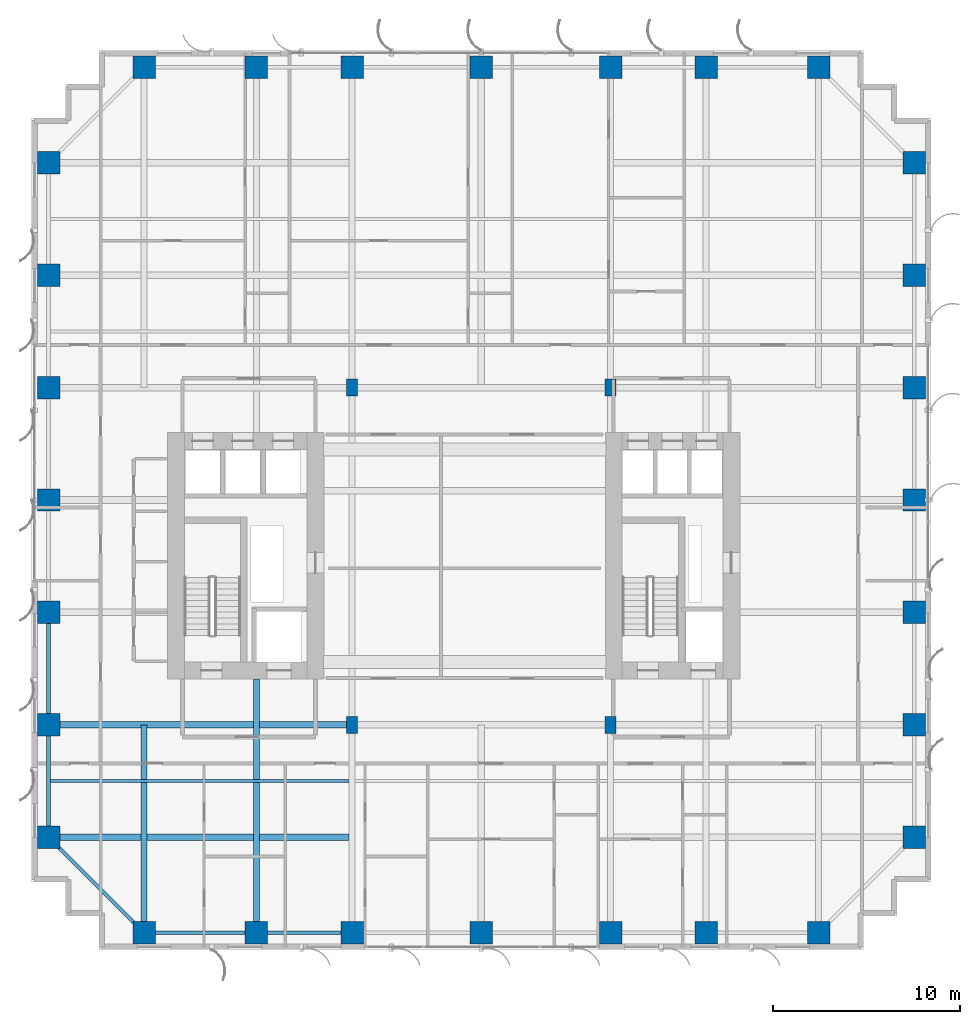
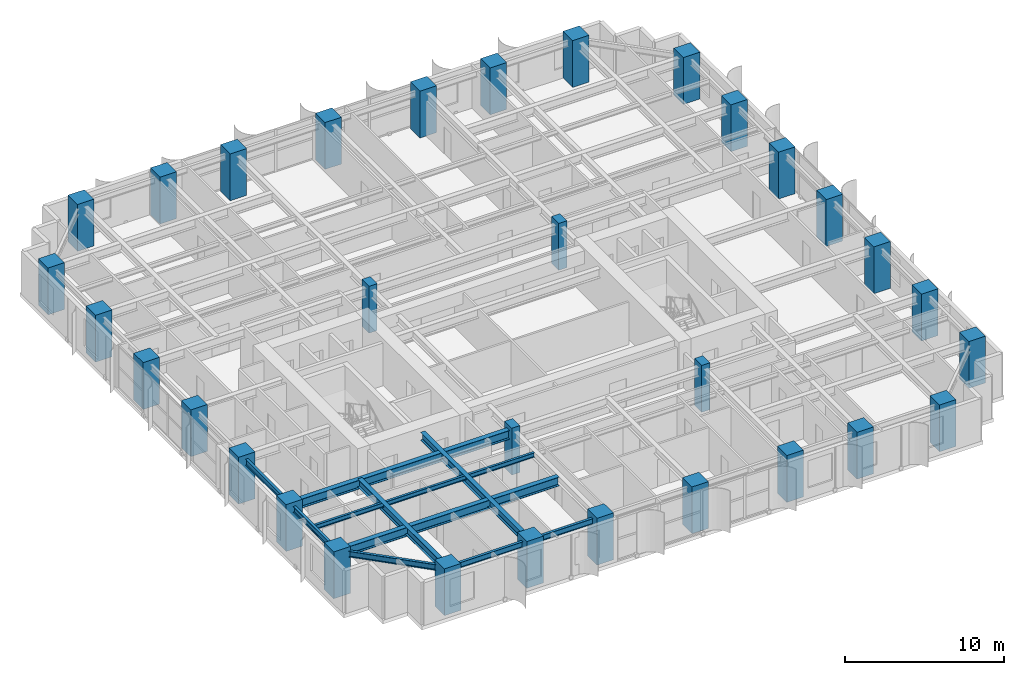
# One storey, part 1 of 23: 32 columns, 10 beams.
"""IFC4 building model written with IfcOpenShell, lengths in metres."""

from ifc_helpers import new_model, si_unit, direction, frame, origin, origin_2d, place, context, subcontext, project, spatial, rectangle, i_section, extrude, source, transform, mapped, material, material_profile, profile_set, type_object, element, save


model = new_model("IFC4")

# Units and contexts
model_context = context("Model", 3, precision=1e-05, world=origin(), true_north=direction((0.0, 1.0)))
body_context = subcontext(model_context, "Body", "Model", "MODEL_VIEW")
ifc_project = project(units=[si_unit("LENGTHUNIT", "METRE"), si_unit("AREAUNIT", "SQUARE_METRE"), si_unit("VOLUMEUNIT", "CUBIC_METRE"), si_unit("PLANEANGLEUNIT", "RADIAN"), si_unit("MASSUNIT", "GRAM", prefix="KILO")], contexts=[model_context])

# Site, building, storey
site_placement = place(None, origin())
site = spatial("IfcSite", under=ifc_project, at=site_placement, CompositionType="ELEMENT")
building_placement = place(site_placement, origin())
building = spatial("IfcBuilding", under=site, at=building_placement, Name="Khoralis Quay Care Tower", CompositionType="ELEMENT")
storey_placement = place(building_placement, frame((0.0, 0.0, 72.89990234375)))
storey = spatial("IfcBuildingStorey", under=building, at=storey_placement, Name="L19", CompositionType="ELEMENT", Elevation=72.89990234375)

# Columns
ifc_material_1 = material(Name="Concrete C80/95", Category="concrete")
ifc_material_profile_1 = material_profile(ifc_material_1, rectangle(XDim=1.199951171875, YDim=1.199951171875, at=origin_2d()), Name="Concrete C80/95")
ifc_profile_set_1 = profile_set([ifc_material_profile_1], Name="Concrete C80/95")
column_type_1 = type_object("IfcColumnType", Name="COL-C1200", PredefinedType="COLUMN", material=ifc_profile_set_1)
shared_shape_1 = source(origin(), body_context, "Body", "SweptSolid", [
    extrude(rectangle(XDim=1.199951171875, YDim=1.199951171875, at=origin_2d()), origin(), (0.0, 0.0, 1.0), 3.60009765625),
])
for number, where, z_axis, x_axis, name in (
    (1, (6.0, 0.89990234375, 0.0), (0.0, 0.0, 1.0), (1.0, 0.0, 0.0), "COL-TWR-L19-01"),
    (2, (6.0, 47.10009765625, 0.0), (0.0, 0.0, 1.0), (1.0, 0.0, 0.0), "COL-TWR-L19-02"),
    (3, (12.0, 0.89990234375, 0.0), (0.0, 0.0, 1.0), (1.0, 0.0, 0.0), "COL-TWR-L19-03"),
    (4, (12.0, 47.10009765625, 0.0), (0.0, 0.0, 1.0), (1.0, 0.0, 0.0), "COL-TWR-L19-04"),
    (5, (17.10009765625, 0.89990234375, 0.0), (0.0, 0.0, 1.0), (1.0, 0.0, 0.0), "COL-TWR-L19-05"),
    (6, (17.10009765625, 47.10009765625, 0.0), (0.0, 0.0, 1.0), (1.0, 0.0, 0.0), "COL-TWR-L19-06"),
    (7, (24.0, 0.89990234375, 0.0), (0.0, 0.0, 1.0), (1.0, 0.0, 0.0), "COL-TWR-L19-07"),
    (8, (24.0, 47.10009765625, 0.0), (0.0, 0.0, 1.0), (1.0, 0.0, 0.0), "COL-TWR-L19-08"),
    (9, (30.89990234375, 0.89990234375, 0.0), (0.0, 0.0, 1.0), (1.0, 0.0, 0.0), "COL-TWR-L19-09"),
    (10, (30.89990234375, 47.10009765625, 0.0), (0.0, 0.0, 1.0), (1.0, 0.0, 0.0), "COL-TWR-L19-10"),
    (11, (36.0, 0.89990234375, 0.0), (0.0, 0.0, 1.0), (1.0, 0.0, 0.0), "COL-TWR-L19-11"),
    (12, (36.0, 47.10009765625, 0.0), (0.0, 0.0, 1.0), (1.0, 0.0, 0.0), "COL-TWR-L19-12"),
    (13, (42.0, 0.89990234375, 0.0), (0.0, 0.0, 1.0), (1.0, 0.0, 0.0), "COL-TWR-L19-13"),
    (14, (42.0, 47.10009765625, 0.0), (0.0, 0.0, 1.0), (1.0, 0.0, 0.0), "COL-TWR-L19-14"),
    (15, (0.89990234375, 6.0, 0.0), (0.0, 0.0, 1.0), (1.0, 0.0, 0.0), "COL-TWR-L19-15"),
    (16, (47.10009765625, 6.0, 0.0), (0.0, 0.0, 1.0), (1.0, 0.0, 0.0), "COL-TWR-L19-16"),
    (17, (0.89990234375, 12.0, 0.0), (0.0, 0.0, 1.0), (1.0, 0.0, 0.0), "COL-TWR-L19-17"),
    (18, (47.10009765625, 12.0, 0.0), (0.0, 0.0, 1.0), (1.0, 0.0, 0.0), "COL-TWR-L19-18"),
    (19, (0.89990234375, 18.0, 0.0), (0.0, 0.0, 1.0), (1.0, 0.0, 0.0), "COL-TWR-L19-19"),
    (20, (47.10009765625, 18.0, 0.0), (0.0, 0.0, 1.0), (1.0, 0.0, 0.0), "COL-TWR-L19-20"),
    (21, (0.89990234375, 24.0, 0.0), (0.0, 0.0, 1.0), (1.0, 0.0, 0.0), "COL-TWR-L19-21"),
    (22, (47.10009765625, 24.0, 0.0), (0.0, 0.0, 1.0), (1.0, 0.0, 0.0), "COL-TWR-L19-22"),
    (23, (0.89990234375, 30.0, 0.0), (0.0, 0.0, 1.0), (1.0, 0.0, 0.0), "COL-TWR-L19-23"),
    (24, (47.10009765625, 30.0, 0.0), (0.0, 0.0, 1.0), (1.0, 0.0, 0.0), "COL-TWR-L19-24"),
    (25, (0.89990234375, 36.0, 0.0), (0.0, 0.0, 1.0), (1.0, 0.0, 0.0), "COL-TWR-L19-25"),
    (26, (47.10009765625, 36.0, 0.0), (0.0, 0.0, 1.0), (1.0, 0.0, 0.0), "COL-TWR-L19-26"),
    (27, (0.89990234375, 42.0, 0.0), (0.0, 0.0, 1.0), (1.0, 0.0, 0.0), "COL-TWR-L19-27"),
    (28, (47.10009765625, 42.0, 0.0), (0.0, 0.0, 1.0), (1.0, 0.0, 0.0), "COL-TWR-L19-28"),
):
    element("IfcColumn", number, at=place(storey_placement, frame(where, z_axis=z_axis, x_axis=x_axis)), inside=storey, type_object=column_type_1, Name=name, PredefinedType="COLUMN", context=body_context, shape_type="MappedRepresentation", body=[
        mapped(shared_shape_1, transform((0.0, 0.0, 0.0), scale=1.0)),
    ])
ifc_material_2 = material(Name="Concrete C65/80", Category="concrete")
ifc_material_profile_2 = material_profile(ifc_material_2, rectangle(XDim=0.60009765625, YDim=0.89990234375, at=origin_2d()), Name="Concrete C65/80")
ifc_profile_set_2 = profile_set([ifc_material_profile_2], Name="Concrete C65/80")
column_type_2 = type_object("IfcColumnType", Name="COL-C600X900", PredefinedType="COLUMN", material=ifc_profile_set_2)
shared_shape_2 = source(origin(), body_context, "Body", "SweptSolid", [
    extrude(rectangle(XDim=0.60009765625, YDim=0.89990234375, at=origin_2d()), origin(), (0.0, 0.0, 1.0), 3.60009765625),
])
for number, where, z_axis, x_axis, name in (
    (29, (17.10009765625, 12.0, 0.0), (0.0, 0.0, 1.0), (1.0, 0.0, 0.0), "COL-TWR-L19-29"),
    (30, (17.10009765625, 30.0, 0.0), (0.0, 0.0, 1.0), (1.0, 0.0, 0.0), "COL-TWR-L19-30"),
    (31, (30.89990234375, 12.0, 0.0), (0.0, 0.0, 1.0), (1.0, 0.0, 0.0), "COL-TWR-L19-31"),
    (32, (30.89990234375, 30.0, 0.0), (0.0, 0.0, 1.0), (1.0, 0.0, 0.0), "COL-TWR-L19-32"),
):
    element("IfcColumn", number, at=place(storey_placement, frame(where, z_axis=z_axis, x_axis=x_axis)), inside=storey, type_object=column_type_2, Name=name, PredefinedType="COLUMN", context=body_context, shape_type="MappedRepresentation", body=[
        mapped(shared_shape_2, transform((0.0, 0.0, 0.0), scale=1.0)),
    ])

# Beams
ifc_material_3 = material(Name="Steel S355", Category="steel")
ifc_material_profile_3 = material_profile(ifc_material_3, i_section(OverallWidth=0.18994140625, OverallDepth=0.449951171875, WebThickness=0.009521484375, FlangeThickness=0.0146484375, FilletRadius=0.02099609375, at=origin_2d()), Name="Steel S355")
ifc_profile_set_3 = profile_set([ifc_material_profile_3], Name="Steel S355")
beam_type_1 = type_object("IfcBeamType", Name="BM-IPE450", PredefinedType="SPANDREL", material=ifc_profile_set_3)
shared_shape_3 = source(origin(), body_context, "Body", "SweptSolid", [
    extrude(i_section(OverallWidth=0.18994140625, OverallDepth=0.449951171875, WebThickness=0.009521484375, FlangeThickness=0.0146484375, FilletRadius=0.02099609375, at=origin_2d()), origin(), (0.0, 0.0, 1.0), 6.0),
])
for number, where, z_axis, x_axis, name in (
    (33, (6.0, 0.89990234375, 3.05517578125), (1.0, 0.0, 0.0), (0.0, 1.0, 0.0), "BM-TSP-L19-01"),
    (34, (0.89990234375, 6.0, 3.05517578125), (0.0, 1.0, 0.0), (-1.0, 0.0, 0.0), "BM-TSP-L19-13"),
    (35, (0.89990234375, 12.0, 3.05517578125), (0.0, 1.0, 0.0), (-1.0, 0.0, 0.0), "BM-TSP-L19-14"),
):
    element("IfcBeam", number, at=place(storey_placement, frame(where, z_axis=z_axis, x_axis=x_axis)), inside=storey, type_object=beam_type_1, Name=name, PredefinedType="SPANDREL", context=body_context, shape_type="MappedRepresentation", body=[
        mapped(shared_shape_3, transform((0.0, 0.0, 0.0), scale=1.0)),
    ])
shared_shape_4 = source(origin(), body_context, "Body", "SweptSolid", [
    extrude(i_section(OverallWidth=0.18994140625, OverallDepth=0.449951171875, WebThickness=0.009521484375, FlangeThickness=0.0146484375, FilletRadius=0.02099609375, at=origin_2d()), origin(), (0.0, 0.0, 1.0), 5.10009765625),
])
beam_1_placement = place(storey_placement, frame((12.0, 0.89990234375, 3.05517578125), z_axis=(1.0, 0.0, 0.0), x_axis=(0.0, 1.0, 0.0)))
element("IfcBeam", 36, at=beam_1_placement, inside=storey, type_object=beam_type_1, Name="BM-TSP-L19-02", PredefinedType="SPANDREL", context=body_context, shape_type="MappedRepresentation", body=[
    mapped(shared_shape_4, transform((0.0, 0.0, 0.0), scale=1.0)),
])
shared_shape_5 = source(origin(), body_context, "Body", "SweptSolid", [
    extrude(i_section(OverallWidth=0.18994140625, OverallDepth=0.449951171875, WebThickness=0.009521484375, FlangeThickness=0.0146484375, FilletRadius=0.02099609375, at=origin_2d()), origin(), (0.0, 0.0, 1.0), 7.212646484375),
])
beam_2_placement = place(storey_placement, frame((6.0, 0.89990234375, 3.05517578125), z_axis=(-0.707106781187, 0.707106781187, 0.0), x_axis=(-0.707106781187, -0.707106781187, 0.0)))
element("IfcBeam", 37, at=beam_2_placement, inside=storey, type_object=beam_type_1, Name="BM-TCR-L19-25", PredefinedType="SPANDREL", context=body_context, shape_type="MappedRepresentation", body=[
    mapped(shared_shape_5, transform((0.0, 0.0, 0.0), scale=1.0)),
])
ifc_material_profile_4 = material_profile(ifc_material_3, i_section(OverallWidth=0.35498046875, OverallDepth=0.695068359375, WebThickness=0.015380859375, FlangeThickness=0.02490234375, FilletRadius=0.02001953125, at=origin_2d()), Name="Steel S355")
ifc_profile_set_4 = profile_set([ifc_material_profile_4], Name="Steel S355")
beam_type_2 = type_object("IfcBeamType", Name="BM-W690X217", PredefinedType="BEAM", material=ifc_profile_set_4)
shared_shape_6 = source(origin(), body_context, "Body", "SweptSolid", [
    extrude(i_section(OverallWidth=0.35498046875, OverallDepth=0.695068359375, WebThickness=0.015380859375, FlangeThickness=0.02490234375, FilletRadius=0.02001953125, at=origin_2d()), origin(), (0.0, 0.0, 1.0), 16.049560546875),
])
beam_3_placement = place(storey_placement, frame((0.89990234375, 6.0, 2.9326171875), z_axis=(1.0, 0.0, 0.0), x_axis=(0.0, 1.0, 0.0)))
element("IfcBeam", 38, at=beam_3_placement, inside=storey, type_object=beam_type_2, Name="BM-TGXW-L19-60", PredefinedType="BEAM", context=body_context, shape_type="MappedRepresentation", body=[
    mapped(shared_shape_6, transform((0.0, 0.0, 0.0), scale=1.0)),
])
shared_shape_7 = source(origin(), body_context, "Body", "SweptSolid", [
    extrude(i_section(OverallWidth=0.35498046875, OverallDepth=0.695068359375, WebThickness=0.015380859375, FlangeThickness=0.02490234375, FilletRadius=0.02001953125, at=origin_2d()), origin(), (0.0, 0.0, 1.0), 16.2001953125),
])
beam_4_placement = place(storey_placement, frame((0.89990234375, 12.0, 2.9326171875), z_axis=(1.0, 0.0, 0.0), x_axis=(0.0, 1.0, 0.0)))
element("IfcBeam", 39, at=beam_4_placement, inside=storey, type_object=beam_type_2, Name="BM-TGXW-L19-120", PredefinedType="BEAM", context=body_context, shape_type="MappedRepresentation", body=[
    mapped(shared_shape_7, transform((0.0, 0.0, 0.0), scale=1.0)),
])
ifc_material_profile_5 = material_profile(ifc_material_3, i_section(OverallWidth=0.324951171875, OverallDepth=0.615966796875, WebThickness=0.013916015625, FlangeThickness=0.021484375, FilletRadius=0.01806640625, at=origin_2d()), Name="Steel S355")
ifc_profile_set_5 = profile_set([ifc_material_profile_5], Name="Steel S355")
beam_type_3 = type_object("IfcBeamType", Name="BM-W610X174", PredefinedType="BEAM", material=ifc_profile_set_5)
shared_shape_8 = source(origin(), body_context, "Body", "SweptSolid", [
    extrude(i_section(OverallWidth=0.324951171875, OverallDepth=0.615966796875, WebThickness=0.013916015625, FlangeThickness=0.021484375, FilletRadius=0.01806640625, at=origin_2d()), origin(), (0.0, 0.0, 1.0), 11.10009765625),
])
beam_5_placement = place(storey_placement, frame((6.0, 0.89990234375, 2.97216796875), z_axis=(0.0, 1.0, 0.0), x_axis=(-1.0, 0.0, 0.0)))
element("IfcBeam", 40, at=beam_5_placement, inside=storey, type_object=beam_type_3, Name="BM-TGYS-L19-60", PredefinedType="BEAM", context=body_context, shape_type="MappedRepresentation", body=[
    mapped(shared_shape_8, transform((0.0, 0.0, 0.0), scale=1.0)),
])
shared_shape_9 = source(origin(), body_context, "Body", "SweptSolid", [
    extrude(i_section(OverallWidth=0.324951171875, OverallDepth=0.615966796875, WebThickness=0.013916015625, FlangeThickness=0.021484375, FilletRadius=0.01806640625, at=origin_2d()), origin(), (0.0, 0.0, 1.0), 13.552001953125),
])
beam_6_placement = place(storey_placement, frame((12.0, 0.89990234375, 2.97216796875), z_axis=(0.0, 1.0, 0.0), x_axis=(-1.0, 0.0, 0.0)))
element("IfcBeam", 41, at=beam_6_placement, inside=storey, type_object=beam_type_3, Name="BM-TGYS-L19-120", PredefinedType="BEAM", context=body_context, shape_type="MappedRepresentation", body=[
    mapped(shared_shape_9, transform((0.0, 0.0, 0.0), scale=1.0)),
])
ifc_material_profile_6 = material_profile(ifc_material_3, i_section(OverallWidth=0.1708984375, OverallDepth=0.35498046875, WebThickness=0.007080078125, FlangeThickness=0.01171875, FilletRadius=0.012939453125, at=origin_2d()), Name="Steel S355")
ifc_profile_set_6 = profile_set([ifc_material_profile_6], Name="Steel S355")
beam_type_4 = type_object("IfcBeamType", Name="BM-W360X51", PredefinedType="JOIST", material=ifc_profile_set_6)
shared_shape_10 = source(origin(), body_context, "Body", "SweptSolid", [
    extrude(i_section(OverallWidth=0.1708984375, OverallDepth=0.35498046875, WebThickness=0.007080078125, FlangeThickness=0.01171875, FilletRadius=0.012939453125, at=origin_2d()), origin(), (0.0, 0.0, 1.0), 15.968505859375),
])
beam_7_placement = place(storey_placement, frame((0.98095703125, 9.0, 3.1025390625), z_axis=(1.0, 0.0, 0.0), x_axis=(0.0, 1.0, 0.0)))
element("IfcBeam", 42, at=beam_7_placement, inside=storey, type_object=beam_type_4, Name="BM-TJS-L19-29", PredefinedType="JOIST", context=body_context, shape_type="MappedRepresentation", body=[
    mapped(shared_shape_10, transform((0.0, 0.0, 0.0), scale=1.0)),
])

save(model, "model.ifc")
